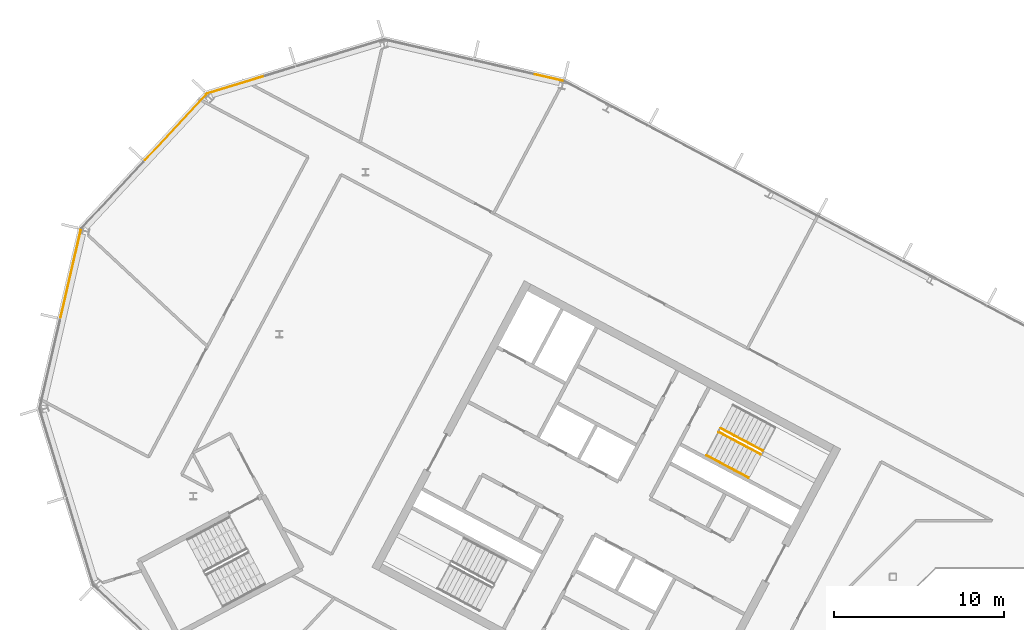
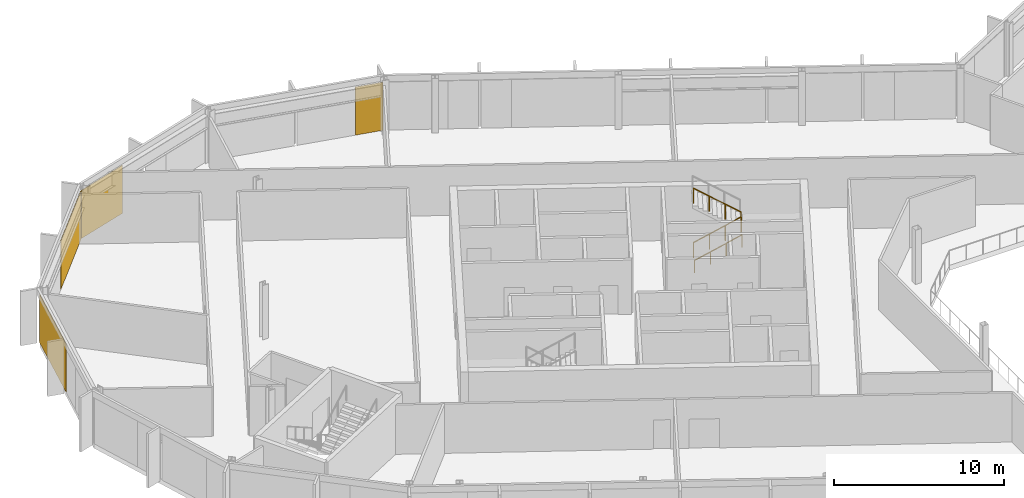
# One storey, part 21 of 25: 4 coverings, 3 railings, 4 elements without a shape of their own.
"""IFC4 building model written with IfcOpenShell, lengths in metres."""

from ifc_helpers import new_model, si_unit, direction, frame, origin, origin_2d, place, context, subcontext, project, spatial, polyline, rectangle, outline, extrude, material, layer, layer_set, type_object, element, aggregate, save


model = new_model("IFC4")

# Units and contexts
model_context = context("Model", 3, precision=1e-05, world=origin(), true_north=direction((0.0, 1.0)))
body_context = subcontext(model_context, "Body", "Model", "MODEL_VIEW")
ifc_project = project(units=[si_unit("LENGTHUNIT", "METRE"), si_unit("AREAUNIT", "SQUARE_METRE"), si_unit("VOLUMEUNIT", "CUBIC_METRE"), si_unit("PLANEANGLEUNIT", "RADIAN"), si_unit("MASSUNIT", "GRAM", prefix="KILO")], contexts=[model_context])

# Site, building, storey
site_placement = place(None, origin())
site = spatial("IfcSite", under=ifc_project, at=site_placement, CompositionType="ELEMENT")
building_placement = place(site_placement, origin())
building = spatial("IfcBuilding", under=site, at=building_placement, Name="Cormorant Relay Tower", CompositionType="ELEMENT")
storey_placement = place(building_placement, frame((0.0, 0.0, 281.39990234375)))
storey = spatial("IfcBuildingStorey", under=building, at=storey_placement, Name="L63", CompositionType="ELEMENT", Elevation=281.39990234375)

# Curtain wall, covering
ifc_material_1 = material(Name="Aluminium 6063-T6 anodised bronze", Category="aluminium")
ifc_layer_1 = layer(ifc_material_1, 0.199951171875)
ifc_layer_set_1 = layer_set([ifc_layer_1], Name="CW1 unitised bronze curtain wall with vertical fins")
curtain_wall_type = type_object("IfcCurtainWallType", Name="CW1 unitised bronze curtain wall with vertical fins", PredefinedType="NOTDEFINED", material=ifc_layer_set_1)
curtain_wall_1_placement = place(storey_placement, origin())
curtain_wall_1 = element("IfcCurtainWall", 1, at=curtain_wall_1_placement, inside=storey, type_object=curtain_wall_type, Name="CW1 curtain wall 10", PredefinedType="NOTDEFINED")
ifc_material_2 = material(Name="Pale bronze anodised aluminium insulated panel", Category="aluminium")
ifc_layer_2 = layer(ifc_material_2, 0.0400390625)
ifc_layer_set_2 = layer_set([ifc_layer_2], Name="CW1 pale bronze insulated panel 40")
covering_type = type_object("IfcCoveringType", Name="CW1 pale bronze insulated panel 40", PredefinedType="CLADDING", material=ifc_layer_set_2)
covering_1_placement = place(storey_placement, frame((-30.76318359375, 39.89404296875, 0.0), z_axis=(0.0, 0.0, 1.0), x_axis=(-0.974370064785, 0.224951054344, 0.0)))
covering_1 = element("IfcCovering", 2, at=covering_1_placement, type_object=covering_type, Name="CW1 panel S00", PredefinedType="CLADDING", context=body_context, shape_type="SweptSolid", body=[
    extrude(rectangle(XDim=1.685302734375, YDim=0.0400390625, at=origin_2d()), origin(), (0.0, 0.0, 1.0), 3.449951171875),
])
aggregate(curtain_wall_1, [covering_1])

curtain_wall_2_placement = place(storey_placement, origin())
curtain_wall_2 = element("IfcCurtainWall", 3, at=curtain_wall_2_placement, inside=storey, type_object=curtain_wall_type, Name="CW1 curtain wall 11", PredefinedType="NOTDEFINED")
covering_2_placement = place(storey_placement, frame((-49.16455078125, 39.474853515625, 0.0), z_axis=(0.0, 0.0, 1.0), x_axis=(-0.956304755963, -0.292371704723, 0.0)))
covering_2 = element("IfcCovering", 4, at=covering_2_placement, type_object=covering_type, Name="CW1 panel S03", PredefinedType="CLADDING", context=body_context, shape_type="SweptSolid", body=[
    extrude(rectangle(XDim=3.560302734375, YDim=0.0400390625, at=origin_2d()), origin(), (0.0, 0.0, 1.0), 3.449951171875),
])
aggregate(curtain_wall_2, [covering_2])

curtain_wall_3_placement = place(storey_placement, origin())
curtain_wall_3 = element("IfcCurtainWall", 5, at=curtain_wall_3_placement, inside=storey, type_object=curtain_wall_type, Name="CW1 curtain wall 12", PredefinedType="NOTDEFINED")
covering_3_placement = place(storey_placement, frame((-52.72900390625, 36.961181640625, 0.0), z_axis=(0.0, 0.0, 1.0), x_axis=(-0.681998360062, -0.731353701619, 0.0)))
covering_3 = element("IfcCovering", 6, at=covering_3_placement, type_object=covering_type, Name="CW1 panel S00", PredefinedType="CLADDING", context=body_context, shape_type="SweptSolid", body=[
    extrude(rectangle(XDim=5.28515625, YDim=0.0400390625, at=origin_2d()), origin(), (0.0, 0.0, 1.0), 3.449951171875),
])
aggregate(curtain_wall_3, [covering_3])

curtain_wall_4_placement = place(storey_placement, origin())
curtain_wall_4 = element("IfcCurtainWall", 7, at=curtain_wall_4_placement, inside=storey, type_object=curtain_wall_type, Name="CW1 curtain wall 13", PredefinedType="NOTDEFINED")
covering_4_placement = place(storey_placement, frame((-58.905517578125, 28.341796875, 0.0), z_axis=(0.0, 0.0, 1.0), x_axis=(-0.224951054344, -0.974370064785, 0.0)))
covering_4 = element("IfcCovering", 8, at=covering_4_placement, type_object=covering_type, Name="CW1 panel S00", PredefinedType="CLADDING", context=body_context, shape_type="SweptSolid", body=[
    extrude(rectangle(XDim=5.28515625, YDim=0.0400390625, at=origin_2d()), origin(), (0.0, 0.0, 1.0), 3.449951171875),
])
aggregate(curtain_wall_4, [covering_4])

# Railings
ifc_material_3 = material(Name="Steel ASTM A572 Grade 50 (Fy 345 MPa)", Category="steel")
railing_type_1 = type_object("IfcRailingType", Name="Stair guard 1100", PredefinedType="GUARDRAIL", material=ifc_material_3)
railing_1_placement = place(storey_placement, frame((-20.75048828125, 19.017822265625, 0.177490234375)))
element("IfcRailing", 9, at=railing_1_placement, inside=storey, type_object=railing_type_1, Name="L63 A1 stair guard 1", PredefinedType="GUARDRAIL", context=body_context, shape_type="SweptSolid", body=[
    extrude(outline(polyline([(0.022216796875, 0.00927734375), (0.00927734375, 0.022216796875), (-0.00927734375, 0.022216796875), (-0.022216796875, 0.00927734375), (-0.022216796875, -0.00927734375), (-0.00927734375, -0.022216796875), (0.00927734375, -0.022216796875), (0.022216796875, -0.00927734375), (0.022216796875, 0.00927734375)])), frame((0.0, 0.0, 1.076171875), z_axis=(0.746001213114, -0.396649272309, 0.534931345884), x_axis=(0.469465464807, 0.882950835185, 0.0)), (0.0, 0.0, 1.0), 3.31396484375),
    extrude(outline(polyline([(0.019287109375, 0.008056640625), (0.008056640625, 0.019287109375), (-0.008056640625, 0.019287109375), (-0.019287109375, 0.008056640625), (-0.019287109375, -0.008056640625), (-0.008056640625, -0.019287109375), (0.008056640625, -0.019287109375), (0.019287109375, -0.008056640625), (0.019287109375, 0.008056640625)])), origin(), (0.0, 0.0, 1.0), 1.052001953125),
    extrude(outline(polyline([(0.019287109375, 0.008056640625), (0.008056640625, 0.019287109375), (-0.008056640625, 0.019287109375), (-0.019287109375, 0.008056640625), (-0.019287109375, -0.008056640625), (-0.008056640625, -0.019287109375), (0.008056640625, -0.019287109375), (0.019287109375, -0.008056640625), (0.019287109375, 0.008056640625)])), frame((0.823974609375, -0.438232421875, 0.5908203125)), (0.0, 0.0, 1.0), 1.052001953125),
    extrude(outline(polyline([(0.019287109375, 0.008056640625), (0.008056640625, 0.019287109375), (-0.008056640625, 0.019287109375), (-0.019287109375, 0.008056640625), (-0.019287109375, -0.008056640625), (-0.008056640625, -0.019287109375), (0.008056640625, -0.019287109375), (0.019287109375, -0.008056640625), (0.019287109375, 0.008056640625)])), frame((1.648193359375, -0.876220703125, 1.181884765625)), (0.0, 0.0, 1.0), 1.052001953125),
    extrude(outline(polyline([(0.019287109375, 0.008056640625), (0.008056640625, 0.019287109375), (-0.008056640625, 0.019287109375), (-0.019287109375, 0.008056640625), (-0.019287109375, -0.008056640625), (-0.008056640625, -0.019287109375), (0.008056640625, -0.019287109375), (0.019287109375, -0.008056640625), (0.019287109375, 0.008056640625)])), frame((2.47216796875, -1.314453125, 1.772705078125)), (0.0, 0.0, 1.0), 1.052001953125),
])
railing_2_placement = place(storey_placement, frame((-18.160888671875, 17.924072265625, 2.12744140625)))
element("IfcRailing", 10, at=railing_2_placement, inside=storey, type_object=railing_type_1, Name="L63 A1 stair guard 3", PredefinedType="GUARDRAIL", context=body_context, shape_type="SweptSolid", body=[
    extrude(outline(polyline([(0.022216796875, 0.00927734375), (0.00927734375, 0.022216796875), (-0.00927734375, 0.022216796875), (-0.022216796875, 0.00927734375), (-0.022216796875, -0.00927734375), (-0.00927734375, -0.022216796875), (0.00927734375, -0.022216796875), (0.022216796875, -0.00927734375), (0.022216796875, 0.00927734375)])), frame((0.0, 0.0, 1.076171875), z_axis=(-0.746033882577, 0.396627473466, 0.534901947407), x_axis=(-0.469429322983, -0.882970050864, 0.0)), (0.0, 0.0, 1.0), 3.31396484375),
    extrude(outline(polyline([(0.019287109375, 0.008056640625), (0.008056640625, 0.019287109375), (-0.008056640625, 0.019287109375), (-0.019287109375, 0.008056640625), (-0.019287109375, -0.008056640625), (-0.008056640625, -0.019287109375), (0.008056640625, -0.019287109375), (0.019287109375, -0.008056640625), (0.019287109375, 0.008056640625)])), origin(), (0.0, 0.0, 1.0), 1.052001953125),
    extrude(outline(polyline([(0.019287109375, 0.008056640625), (0.008056640625, 0.019287109375), (-0.008056640625, 0.019287109375), (-0.019287109375, 0.008056640625), (-0.019287109375, -0.008056640625), (-0.008056640625, -0.019287109375), (0.008056640625, -0.019287109375), (0.019287109375, -0.008056640625), (0.019287109375, 0.008056640625)])), frame((-0.82421875, 0.438232421875, 0.5908203125)), (0.0, 0.0, 1.0), 1.052001953125),
    extrude(outline(polyline([(0.019287109375, 0.008056640625), (0.008056640625, 0.019287109375), (-0.008056640625, 0.019287109375), (-0.019287109375, 0.008056640625), (-0.019287109375, -0.008056640625), (-0.008056640625, -0.019287109375), (0.008056640625, -0.019287109375), (0.019287109375, -0.008056640625), (0.019287109375, 0.008056640625)])), frame((-1.648193359375, 0.876220703125, 1.181884765625)), (0.0, 0.0, 1.0), 1.052001953125),
    extrude(outline(polyline([(0.019287109375, 0.008056640625), (0.008056640625, 0.019287109375), (-0.008056640625, 0.019287109375), (-0.019287109375, 0.008056640625), (-0.019287109375, -0.008056640625), (-0.008056640625, -0.019287109375), (0.008056640625, -0.019287109375), (0.019287109375, -0.008056640625), (0.019287109375, 0.008056640625)])), frame((-2.472412109375, 1.314453125, 1.772705078125)), (0.0, 0.0, 1.0), 1.052001953125),
])
ifc_material_4 = material(Name="Steel ASTM A572 Grade 50 (Fy 345 MPa)", Category="steel")
railing_type_2 = type_object("IfcRailingType", Name="Stair handrail 900", PredefinedType="HANDRAIL", material=ifc_material_4)
railing_3_placement = place(storey_placement, frame((-21.478271484375, 17.6494140625, 0.177490234375)))
element("IfcRailing", 11, at=railing_3_placement, inside=storey, type_object=railing_type_2, Name="L63 A1 stair handrail 1", PredefinedType="HANDRAIL", context=body_context, shape_type="SweptSolid", body=[
    extrude(outline(polyline([(0.022216796875, 0.00927734375), (0.00927734375, 0.022216796875), (-0.00927734375, 0.022216796875), (-0.022216796875, 0.00927734375), (-0.022216796875, -0.00927734375), (-0.00927734375, -0.022216796875), (0.00927734375, -0.022216796875), (0.022216796875, -0.00927734375), (0.022216796875, 0.00927734375)])), frame((0.0, 0.0, 0.8759765625), z_axis=(0.746012083385, -0.396689549623, 0.534886317514), x_axis=(0.469497295046, 0.882933910293, 0.0)), (0.0, 0.0, 1.0), 3.314208984375),
    extrude(outline(polyline([(0.019287109375, 0.008056640625), (0.008056640625, 0.019287109375), (-0.008056640625, 0.019287109375), (-0.019287109375, 0.008056640625), (-0.019287109375, -0.008056640625), (-0.008056640625, -0.019287109375), (0.008056640625, -0.019287109375), (0.019287109375, -0.008056640625), (0.019287109375, 0.008056640625)])), origin(), (0.0, 0.0, 1.0), 0.851806640625),
    extrude(outline(polyline([(0.019287109375, 0.008056640625), (0.008056640625, 0.019287109375), (-0.008056640625, 0.019287109375), (-0.019287109375, 0.008056640625), (-0.019287109375, -0.008056640625), (-0.008056640625, -0.019287109375), (0.008056640625, -0.019287109375), (0.019287109375, -0.008056640625), (0.019287109375, 0.008056640625)])), frame((0.82421875, -0.438232421875, 0.5908203125)), (0.0, 0.0, 1.0), 0.851806640625),
    extrude(outline(polyline([(0.019287109375, 0.008056640625), (0.008056640625, 0.019287109375), (-0.008056640625, 0.019287109375), (-0.019287109375, 0.008056640625), (-0.019287109375, -0.008056640625), (-0.008056640625, -0.019287109375), (0.008056640625, -0.019287109375), (0.019287109375, -0.008056640625), (0.019287109375, 0.008056640625)])), frame((1.648193359375, -0.87646484375, 1.181884765625)), (0.0, 0.0, 1.0), 0.851806640625),
    extrude(outline(polyline([(0.019287109375, 0.008056640625), (0.008056640625, 0.019287109375), (-0.008056640625, 0.019287109375), (-0.019287109375, 0.008056640625), (-0.019287109375, -0.008056640625), (-0.008056640625, -0.019287109375), (0.008056640625, -0.019287109375), (0.019287109375, -0.008056640625), (0.019287109375, 0.008056640625)])), frame((2.472412109375, -1.314697265625, 1.772705078125)), (0.0, 0.0, 1.0), 0.851806640625),
])

save(model, "model.ifc")
